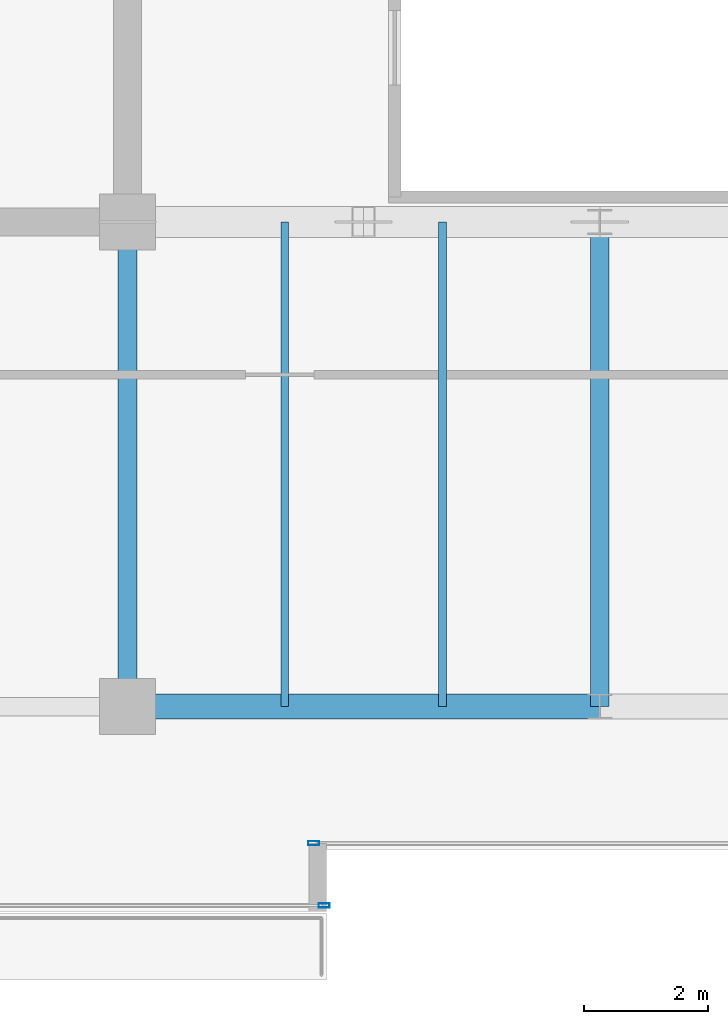
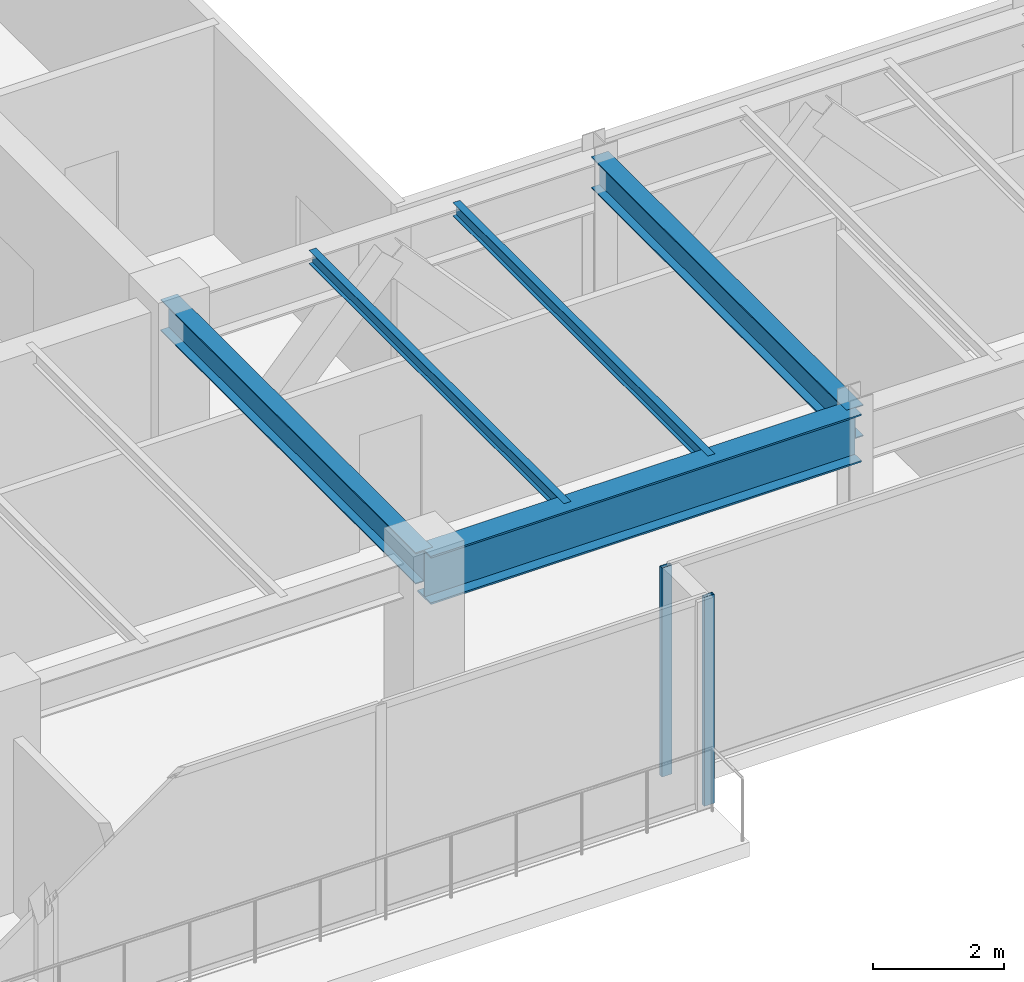
# One storey, part 6 of 34: 5 beams, 2 members, 2 elements without a shape of their own.
"""IFC4 building model written with IfcOpenShell, lengths in metres."""

from ifc_helpers import new_model, si_unit, direction, frame, origin, origin_2d, place, context, subcontext, project, spatial, hollow_rectangle, i_section, extrude, source, transform, mapped, material, layer, layer_set, material_profile, profile_set, type_object, type_shapes, element, aggregate, save


model = new_model("IFC4")

# Units and contexts
model_context = context("Model", 3, precision=1e-05, world=origin(), true_north=direction((0.0, 1.0)))
body_context = subcontext(model_context, "Body", "Model", "MODEL_VIEW")
ifc_project = project(units=[si_unit("LENGTHUNIT", "METRE"), si_unit("AREAUNIT", "SQUARE_METRE"), si_unit("VOLUMEUNIT", "CUBIC_METRE"), si_unit("PLANEANGLEUNIT", "RADIAN"), si_unit("MASSUNIT", "GRAM", prefix="KILO")], contexts=[model_context])

# Site, building, storey
site_placement = place(None, origin())
site = spatial("IfcSite", under=ifc_project, at=site_placement, CompositionType="ELEMENT")
building_placement = place(site_placement, origin())
building = spatial("IfcBuilding", under=site, at=building_placement, Name="Haelvirn Gate Laboratories", CompositionType="ELEMENT")
storey_placement = place(building_placement, frame((0.0, 0.0, 297.60009765625)))
storey = spatial("IfcBuildingStorey", under=building, at=storey_placement, Name="L71", CompositionType="ELEMENT", Elevation=297.60009765625)

# Beams
ifc_material_1 = material(Name="Steel SM420", Category="steel")
ifc_material_profile_1 = material_profile(ifc_material_1, i_section(OverallWidth=0.39990234375, OverallDepth=0.89990234375, WebThickness=0.01904296875, FlangeThickness=0.031982421875, at=origin_2d()), Name="H-900x400x19x32")
ifc_profile_set_1 = profile_set([ifc_material_profile_1], Name="Steel SM420")
beam_type_1 = type_object("IfcBeamType", Name="BM-TG-900", PredefinedType="BEAM", material=ifc_profile_set_1)
shared_shape_1 = source(origin(), body_context, "Body", "SweptSolid", [
    extrude(i_section(OverallWidth=0.39990234375, OverallDepth=0.89990234375, WebThickness=0.01904296875, FlangeThickness=0.031982421875, at=origin_2d()), origin(), (0.0, 0.0, 1.0), 7.60009765625),
])
type_shapes(beam_type_1, [shared_shape_1])
beam_placement = place(storey_placement, frame((22.199951171875, 7.0, 3.449951171875), z_axis=(1.0, 0.0, 0.0), x_axis=(0.0, 1.0, 0.0)))
element("IfcBeam", 1, at=beam_placement, inside=storey, type_object=beam_type_1, Name="L71 Primary Girder Y7.0 (22.2-29.8)", PredefinedType="BEAM", context=body_context, shape_type="MappedRepresentation", body=[
    mapped(shared_shape_1, transform((0.0, 0.0, 0.0), scale=1.0)),
])
ifc_material_2 = material(Name="Steel SM355", Category="steel")
ifc_material_profile_2 = material_profile(ifc_material_2, i_section(OverallWidth=0.300048828125, OverallDepth=0.587890625, WebThickness=0.011962890625, FlangeThickness=0.02001953125, at=origin_2d()), Name="H-588x300x12x20")
ifc_profile_set_2 = profile_set([ifc_material_profile_2], Name="Steel SM355")
beam_type_2 = type_object("IfcBeamType", Name="BM-G-588", PredefinedType="BEAM", material=ifc_profile_set_2)
shared_shape_2 = source(origin(), body_context, "Body", "SweptSolid", [
    extrude(i_section(OverallWidth=0.300048828125, OverallDepth=0.587890625, WebThickness=0.011962890625, FlangeThickness=0.02001953125, at=origin_2d()), origin(), (0.0, 0.0, 1.0), 7.800048828125),
])
type_shapes(beam_type_2, [shared_shape_2])
for number, where, z_axis, x_axis, name in (
    (2, (22.199951171875, 7.0, 3.60595703125), (0.0, 1.0, 0.0), (-1.0, 0.0, 0.0), "L71 Frame Girder X22.2 (7.0-14.8)"),
    (3, (29.800048828125, 7.0, 3.60595703125), (0.0, 1.0, 0.0), (-1.0, 0.0, 0.0), "L71 Frame Girder X29.8 (7.0-14.8)"),
):
    element("IfcBeam", number, at=place(storey_placement, frame(where, z_axis=z_axis, x_axis=x_axis)), inside=storey, type_object=beam_type_2, Name=name, PredefinedType="BEAM", context=body_context, shape_type="MappedRepresentation", body=[
        mapped(shared_shape_2, transform((0.0, 0.0, 0.0), scale=1.0)),
    ])
ifc_material_profile_3 = material_profile(ifc_material_2, i_section(OverallWidth=0.125, OverallDepth=0.25, WebThickness=0.006103515625, FlangeThickness=0.009033203125, at=origin_2d()), Name="H-250x125x6x9")
ifc_profile_set_3 = profile_set([ifc_material_profile_3], Name="Steel SM355")
beam_type_3 = type_object("IfcBeamType", Name="BM-J-250", PredefinedType="JOIST", material=ifc_profile_set_3)
shared_shape_3 = source(origin(), body_context, "Body", "SweptSolid", [
    extrude(i_section(OverallWidth=0.125, OverallDepth=0.25, WebThickness=0.006103515625, FlangeThickness=0.009033203125, at=origin_2d()), origin(), (0.0, 0.0, 1.0), 7.800048828125),
])
type_shapes(beam_type_3, [shared_shape_3])
for number, where, z_axis, x_axis, name in (
    (4, (24.72998046875, 7.0, 3.77490234375), (0.0, 1.0, 0.0), (-1.0, 0.0, 0.0), "L71 Composite Lab Joist South X24.73"),
    (5, (27.27001953125, 7.0, 3.77490234375), (0.0, 1.0, 0.0), (-1.0, 0.0, 0.0), "L71 Composite Lab Joist South X27.27"),
):
    element("IfcBeam", number, at=place(storey_placement, frame(where, z_axis=z_axis, x_axis=x_axis)), inside=storey, type_object=beam_type_3, Name=name, PredefinedType="JOIST", context=body_context, shape_type="MappedRepresentation", body=[
        mapped(shared_shape_3, transform((0.0, 0.0, 0.0), scale=1.0)),
    ])

# Curtain wall, member
ifc_material_3 = material(Name="Anodised bronze unitised aluminium & triple low-E glass", Category="aluminium")
ifc_layer = layer(ifc_material_3, 0.176025390625, Name="CW-SYS-4")
ifc_layer_set = layer_set([ifc_layer], Name="Anodised bronze unitised aluminium & triple low-E glass")
curtain_wall_type = type_object("IfcCurtainWallType", Name="CW-SYS-4", PredefinedType="NOTDEFINED", material=ifc_layer_set)
curtain_wall_1_placement = place(storey_placement, origin())
curtain_wall_1 = element("IfcCurtainWall", 6, at=curtain_wall_1_placement, inside=storey, type_object=curtain_wall_type, Name="L71 Unitised Curtain Wall CW-L71-P0-E00-2", PredefinedType="NOTDEFINED")
ifc_material_4 = material(Name="Extruded aluminium 6063-T6 (anodised bronze)", Category="aluminium")
ifc_material_profile_4 = material_profile(ifc_material_4, hollow_rectangle(XDim=0.070068359375, YDim=0.179931640625, WallThickness=0.0048828125, at=origin_2d()), Name="CWM-180x70x5")
ifc_profile_set_4 = profile_set([ifc_material_profile_4], Name="Extruded aluminium 6063-T6 (anodised bronze)")
member_type = type_object("IfcMemberType", Name="CWM-T180", PredefinedType="MULLION", material=ifc_profile_set_4)
shared_shape_4 = source(origin(), body_context, "Body", "SweptSolid", [
    extrude(hollow_rectangle(XDim=0.070068359375, YDim=0.179931640625, WallThickness=0.0048828125, at=origin_2d()), origin(), (0.0, 0.0, 1.0), 3.89990234375),
])
type_shapes(member_type, [shared_shape_4])
member_1_placement = place(storey_placement, frame((25.364990234375, 3.800048828125, 0.0), z_axis=(0.0, 0.0, 1.0), x_axis=(0.0, 1.0, 0.0)))
member_1 = element("IfcMember", 7, at=member_1_placement, type_object=member_type, Name="CW4 mullion 3", PredefinedType="MULLION", context=body_context, shape_type="MappedRepresentation", body=[
    mapped(shared_shape_4, transform((0.0, 0.0, 0.0), scale=1.0)),
])
aggregate(curtain_wall_1, [member_1])

curtain_wall_2_placement = place(storey_placement, origin())
curtain_wall_2 = element("IfcCurtainWall", 8, at=curtain_wall_2_placement, inside=storey, type_object=curtain_wall_type, Name="L71 Unitised Curtain Wall CW-L71-P0-E02-1", PredefinedType="NOTDEFINED")
member_2_placement = place(storey_placement, frame((25.195068359375, 4.800048828125, 0.0), z_axis=(0.0, 0.0, 1.0), x_axis=(0.0, 1.0, 0.0)))
member_2 = element("IfcMember", 9, at=member_2_placement, type_object=member_type, Name="CW4 mullion 1", PredefinedType="MULLION", context=body_context, shape_type="MappedRepresentation", body=[
    mapped(shared_shape_4, transform((0.0, 0.0, 0.0), scale=1.0)),
])
aggregate(curtain_wall_2, [member_2])

save(model, "model.ifc")
